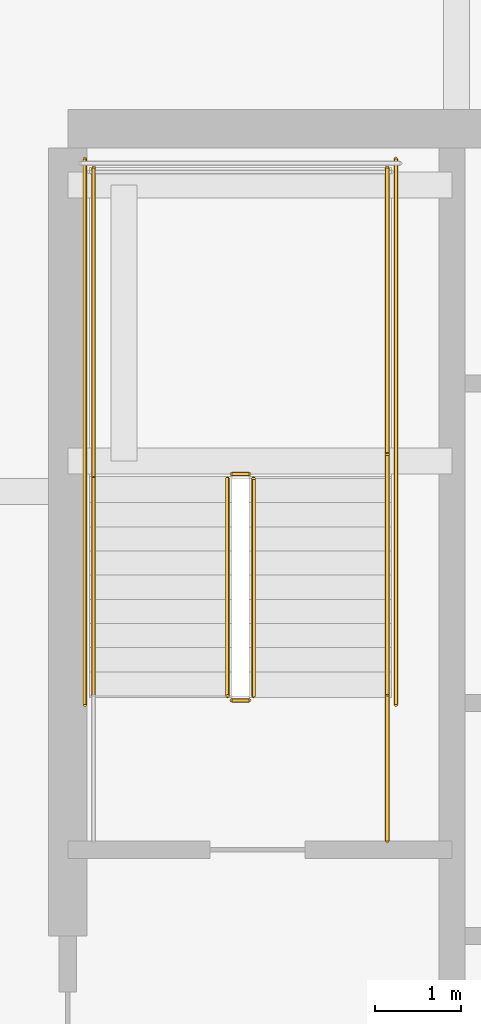
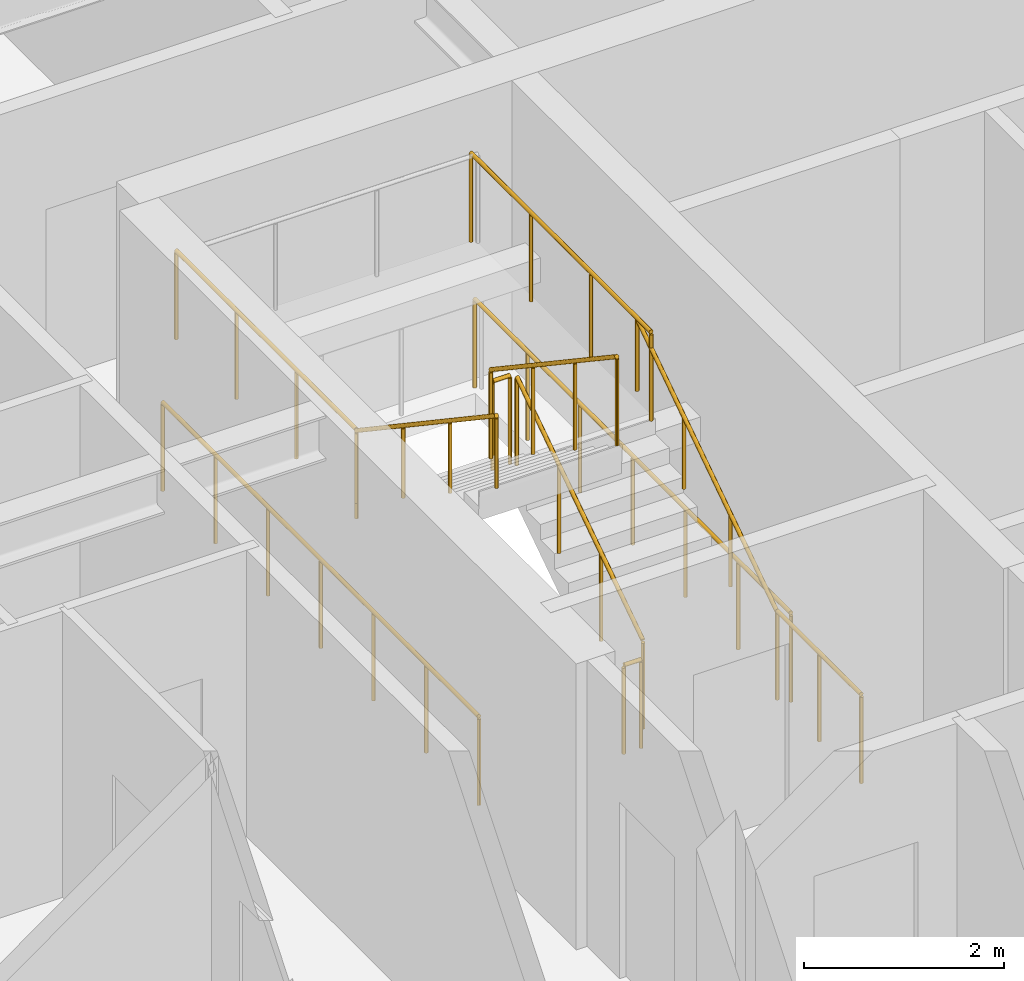
# One storey, part 34 of 37: 11 railings.
"""IFC4 building model written with IfcOpenShell, lengths in metres."""

from ifc_helpers import new_model, si_unit, direction, frame, origin, origin_2d, place, context, subcontext, project, spatial, circle, extrude, material, type_object, element, save


model = new_model("IFC4")

# Units and contexts
model_context = context("Model", 3, precision=1e-05, world=origin(), true_north=direction((0.0, 1.0)))
body_context = subcontext(model_context, "Body", "Model", "MODEL_VIEW")
ifc_project = project(units=[si_unit("LENGTHUNIT", "METRE"), si_unit("AREAUNIT", "SQUARE_METRE"), si_unit("VOLUMEUNIT", "CUBIC_METRE"), si_unit("PLANEANGLEUNIT", "RADIAN"), si_unit("MASSUNIT", "GRAM", prefix="KILO")], contexts=[model_context])

# Site, building, storey
site_placement = place(None, origin())
site = spatial("IfcSite", under=ifc_project, at=site_placement, CompositionType="ELEMENT")
building_placement = place(site_placement, origin())
building = spatial("IfcBuilding", under=site, at=building_placement, Name="Serunith Strait Residences", CompositionType="ELEMENT")
storey_placement = place(building_placement, frame((0.0, 0.0, 34.199951171875)))
storey = spatial("IfcBuildingStorey", under=building, at=storey_placement, Name="L07", CompositionType="ELEMENT", Elevation=34.199951171875)

# Railings
ifc_material = material(Name="Brushed stainless steel 316L", Category="steel")
railing_type_1 = type_object("IfcRailingType", Name="RLG-STAIR-GUARD", PredefinedType="BALUSTRADE", material=ifc_material)
railing_1_placement = place(storey_placement, frame((25.550048828125, 27.030029296875, 0.1875)))
element("IfcRailing", 1, at=railing_1_placement, inside=storey, type_object=railing_type_1, Name="L07 ST-1 stair guard 1", PredefinedType="BALUSTRADE", context=body_context, shape_type="SweptSolid", body=[
    extrude(circle(Radius=0.02392578125, at=origin_2d()), frame((0.0, 0.001708984375, 1.0771484375), z_axis=(0.0, 0.830909170722, 0.55640807867), x_axis=(-1.0, 0.0, 0.0)), (0.0, 0.0, 1.0), 3.02880859375),
    extrude(circle(Radius=0.02099609375, at=origin_2d()), origin(), (0.0, 0.0, 1.0), 1.050048828125),
    extrude(circle(Radius=0.02099609375, at=origin_2d()), frame((0.0, 0.840087890625, 0.5625)), (0.0, 0.0, 1.0), 1.050048828125),
    extrude(circle(Radius=0.02099609375, at=origin_2d()), frame((0.0, 1.679931640625, 1.125)), (0.0, 0.0, 1.0), 1.050048828125),
    extrude(circle(Radius=0.02099609375, at=origin_2d()), frame((0.0, 2.52001953125, 1.6875)), (0.0, 0.0, 1.0), 1.050048828125),
])
railing_2_placement = place(storey_placement, frame((25.5, 29.60009765625, 1.875)))
element("IfcRailing", 2, at=railing_2_placement, inside=storey, type_object=railing_type_1, Name="L07 ST-1 stair guard 2", PredefinedType="BALUSTRADE", context=body_context, shape_type="SweptSolid", body=[
    extrude(circle(Radius=0.02392578125, at=origin_2d()), frame((-0.001953125, 0.0, 1.076171875), z_axis=(-1.0, 0.0, 0.0), x_axis=(0.0, -1.0, 0.0)), (0.0, 0.0, 1.0), 0.196044921875),
    extrude(circle(Radius=0.02099609375, at=origin_2d()), origin(), (0.0, 0.0, 1.0), 1.050048828125),
    extrude(circle(Radius=0.02099609375, at=origin_2d()), frame((-0.199951171875, 0.0, 0.0)), (0.0, 0.0, 1.0), 1.050048828125),
])
for number, where, name in (
    (3, (27.10009765625, 29.550048828125, 1.875), "L07 ST-1 stair guard 3"),
    (4, (23.699951171875, 29.550048828125, 1.875), "L07 ST-1 stair guard 4"),
):
    element("IfcRailing", number, at=place(storey_placement, frame(where)), inside=storey, type_object=railing_type_1, Name=name, PredefinedType="BALUSTRADE", context=body_context, shape_type="SweptSolid", body=[
        extrude(circle(Radius=0.02392578125, at=origin_2d()), frame((0.0, 0.001953125, 1.076171875), z_axis=(0.0, 1.0, 0.0), x_axis=(-1.0, 0.0, 0.0)), (0.0, 0.0, 1.0), 3.595947265625),
        extrude(circle(Radius=0.02099609375, at=origin_2d()), origin(), (0.0, 0.0, 1.0), 1.050048828125),
        extrude(circle(Radius=0.02099609375, at=origin_2d()), frame((0.0, 1.199951171875, 0.0)), (0.0, 0.0, 1.0), 1.050048828125),
        extrude(circle(Radius=0.02099609375, at=origin_2d()), frame((0.0, 2.39990234375, 0.0)), (0.0, 0.0, 1.0), 1.050048828125),
        extrude(circle(Radius=0.02099609375, at=origin_2d()), frame((0.0, 3.599853515625, 0.0)), (0.0, 0.0, 1.0), 1.050048828125),
    ])
railing_3_placement = place(storey_placement, frame((25.25, 29.550048828125, 2.0625)))
element("IfcRailing", 5, at=railing_3_placement, inside=storey, type_object=railing_type_1, Name="L07 ST-1 stair guard 6", PredefinedType="BALUSTRADE", context=body_context, shape_type="SweptSolid", body=[
    extrude(circle(Radius=0.02392578125, at=origin_2d()), frame((0.0, -0.001708984375, 1.0771484375), z_axis=(0.0, -0.830909170722, 0.55640807867), x_axis=(1.0, 0.0, 0.0)), (0.0, 0.0, 1.0), 3.02880859375),
    extrude(circle(Radius=0.02099609375, at=origin_2d()), origin(), (0.0, 0.0, 1.0), 1.050048828125),
    extrude(circle(Radius=0.02099609375, at=origin_2d()), frame((0.0, -0.840087890625, 0.5625)), (0.0, 0.0, 1.0), 1.050048828125),
    extrude(circle(Radius=0.02099609375, at=origin_2d()), frame((0.0, -1.679931640625, 1.125)), (0.0, 0.0, 1.0), 1.050048828125),
    extrude(circle(Radius=0.02099609375, at=origin_2d()), frame((0.0, -2.52001953125, 1.6875)), (0.0, 0.0, 1.0), 1.050048828125),
])
railing_4_placement = place(storey_placement, frame((25.5, 26.97998046875, 0.0)))
element("IfcRailing", 6, at=railing_4_placement, inside=storey, type_object=railing_type_1, Name="L07 ST-1 stair guard 7", PredefinedType="BALUSTRADE", context=body_context, shape_type="SweptSolid", body=[
    extrude(circle(Radius=0.02392578125, at=origin_2d()), frame((-0.001953125, 0.0, 1.076171875), z_axis=(-1.0, 0.0, 0.0), x_axis=(0.0, -1.0, 0.0)), (0.0, 0.0, 1.0), 0.196044921875),
    extrude(circle(Radius=0.02099609375, at=origin_2d()), origin(), (0.0, 0.0, 1.0), 1.050048828125),
    extrude(circle(Radius=0.02099609375, at=origin_2d()), frame((-0.199951171875, 0.0, 0.0)), (0.0, 0.0, 1.0), 1.050048828125),
])
railing_5_placement = place(storey_placement, frame((27.10009765625, 25.35009765625, 0.0)))
element("IfcRailing", 7, at=railing_5_placement, inside=storey, type_object=railing_type_1, Name="L07 ST-1 stair guard 8", PredefinedType="BALUSTRADE", context=body_context, shape_type="SweptSolid", body=[
    extrude(circle(Radius=0.02392578125, at=origin_2d()), frame((0.0, 0.001953125, 1.076171875), z_axis=(0.0, 1.0, 0.0), x_axis=(-1.0, 0.0, 0.0)), (0.0, 0.0, 1.0), 1.676025390625),
    extrude(circle(Radius=0.02099609375, at=origin_2d()), origin(), (0.0, 0.0, 1.0), 1.050048828125),
    extrude(circle(Radius=0.02099609375, at=origin_2d()), frame((0.0, 0.83984375, 0.0)), (0.0, 0.0, 1.0), 1.050048828125),
    extrude(circle(Radius=0.02099609375, at=origin_2d()), frame((0.0, 1.679931640625, 0.0)), (0.0, 0.0, 1.0), 1.050048828125),
])
for number, where, name in (
    (8, (27.199951171875, 26.929931640625, 0.0), "L07 ST-1 stair guard 10"),
    (9, (23.60009765625, 26.929931640625, 0.0), "L07 ST-1 stair guard 11"),
):
    element("IfcRailing", number, at=place(storey_placement, frame(where)), inside=storey, type_object=railing_type_1, Name=name, PredefinedType="BALUSTRADE", context=body_context, shape_type="SweptSolid", body=[
        extrude(circle(Radius=0.02392578125, at=origin_2d()), frame((0.0, 0.001953125, 1.076171875), z_axis=(0.0, 1.0, 0.0), x_axis=(-1.0, 0.0, 0.0)), (0.0, 0.0, 1.0), 6.316162109375),
        extrude(circle(Radius=0.02099609375, at=origin_2d()), origin(), (0.0, 0.0, 1.0), 1.050048828125),
        extrude(circle(Radius=0.02099609375, at=origin_2d()), frame((0.0, 1.05322265625, 0.0)), (0.0, 0.0, 1.0), 1.050048828125),
        extrude(circle(Radius=0.02099609375, at=origin_2d()), frame((0.0, 2.106689453125, 0.0)), (0.0, 0.0, 1.0), 1.050048828125),
        extrude(circle(Radius=0.02099609375, at=origin_2d()), frame((0.0, 3.16015625, 0.0)), (0.0, 0.0, 1.0), 1.050048828125),
        extrude(circle(Radius=0.02099609375, at=origin_2d()), frame((0.0, 4.21337890625, 0.0)), (0.0, 0.0, 1.0), 1.050048828125),
        extrude(circle(Radius=0.02099609375, at=origin_2d()), frame((0.0, 5.2666015625, 0.0)), (0.0, 0.0, 1.0), 1.050048828125),
        extrude(circle(Radius=0.02099609375, at=origin_2d()), frame((0.0, 6.320068359375, 0.0)), (0.0, 0.0, 1.0), 1.050048828125),
    ])
railing_type_2 = type_object("IfcRailingType", Name="RLG-STAIR-HR", PredefinedType="HANDRAIL", material=ifc_material)
railing_6_placement = place(storey_placement, frame((27.10009765625, 27.030029296875, 0.1875)))
element("IfcRailing", 10, at=railing_6_placement, inside=storey, type_object=railing_type_2, Name="L07 ST-1 stair handrail 1", PredefinedType="HANDRAIL", context=body_context, shape_type="SweptSolid", body=[
    extrude(circle(Radius=0.02392578125, at=origin_2d()), frame((0.0, 0.001708984375, 0.876953125), z_axis=(0.0, 0.830208209119, 0.557453432594), x_axis=(-1.0, 0.0, 0.0)), (0.0, 0.0, 1.0), 3.36865234375),
    extrude(circle(Radius=0.02099609375, at=origin_2d()), origin(), (0.0, 0.0, 1.0), 0.849853515625),
    extrude(circle(Radius=0.02099609375, at=origin_2d()), frame((0.0, 0.933349609375, 0.626708984375)), (0.0, 0.0, 1.0), 0.849853515625),
    extrude(circle(Radius=0.02099609375, at=origin_2d()), frame((0.0, 1.86669921875, 1.25341796875)), (0.0, 0.0, 1.0), 0.849853515625),
    extrude(circle(Radius=0.02099609375, at=origin_2d()), frame((0.0, 2.800048828125, 1.880126953125)), (0.0, 0.0, 1.0), 0.849853515625),
])
railing_7_placement = place(storey_placement, frame((23.699951171875, 29.550048828125, 2.0625)))
element("IfcRailing", 11, at=railing_7_placement, inside=storey, type_object=railing_type_2, Name="L07 ST-1 stair handrail 2", PredefinedType="HANDRAIL", context=body_context, shape_type="SweptSolid", body=[
    extrude(circle(Radius=0.02392578125, at=origin_2d()), frame((0.0, -0.001708984375, 0.876953125), z_axis=(0.0, -0.830208209119, 0.557453432594), x_axis=(1.0, 0.0, 0.0)), (0.0, 0.0, 1.0), 3.36865234375),
    extrude(circle(Radius=0.02099609375, at=origin_2d()), origin(), (0.0, 0.0, 1.0), 0.849853515625),
    extrude(circle(Radius=0.02099609375, at=origin_2d()), frame((0.0, -0.933349609375, 0.626708984375)), (0.0, 0.0, 1.0), 0.849853515625),
    extrude(circle(Radius=0.02099609375, at=origin_2d()), frame((0.0, -1.86669921875, 1.25341796875)), (0.0, 0.0, 1.0), 0.849853515625),
    extrude(circle(Radius=0.02099609375, at=origin_2d()), frame((0.0, -2.800048828125, 1.880126953125)), (0.0, 0.0, 1.0), 0.849853515625),
])

save(model, "model.ifc")
